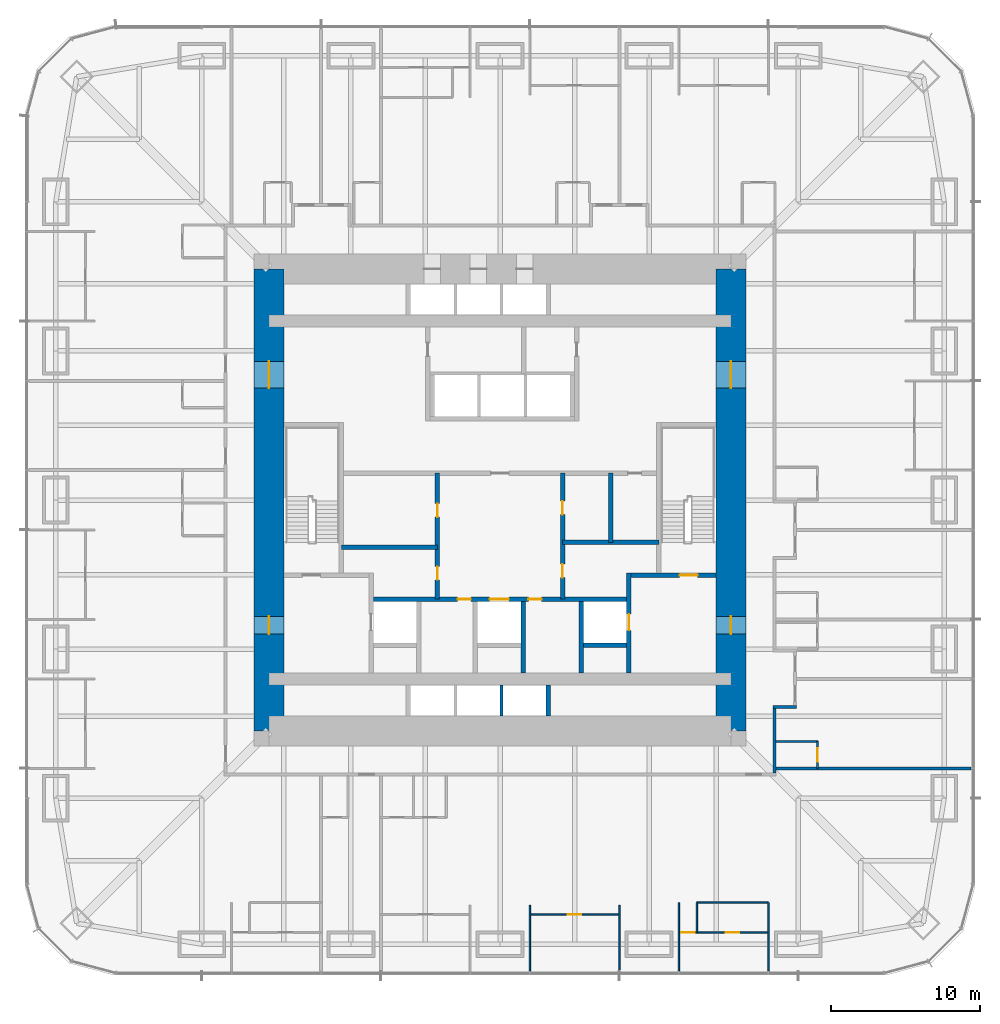
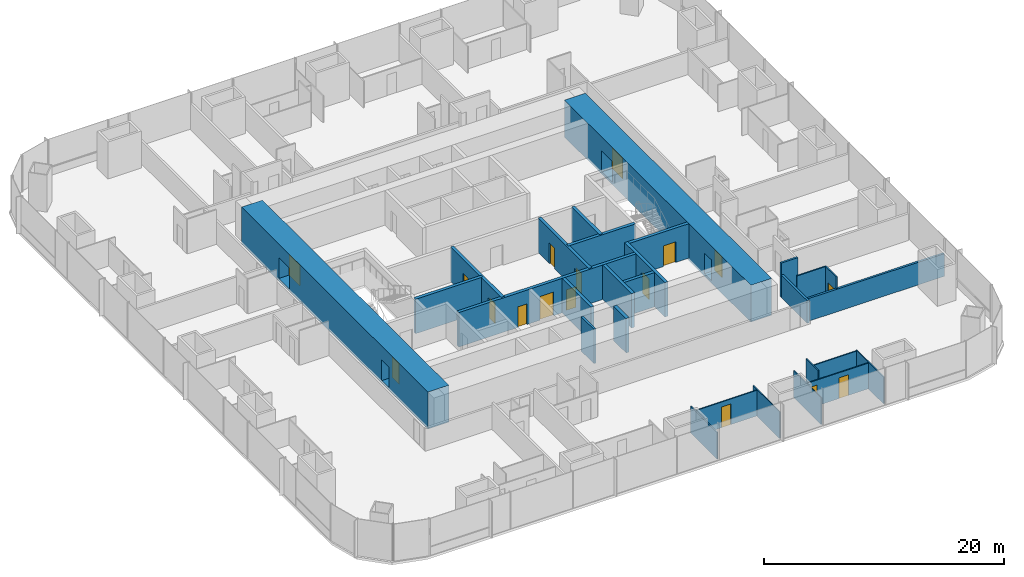
# One storey, part 13 of 17: 28 walls, 17 doors, 17 openings.
"""IFC4 building model written with IfcOpenShell, lengths in metres."""

import ifcopenshell
import ifcopenshell.guid

model = None  # the IFC model being written
_history = None  # IfcOwnerHistory: only IFC2X3 demands one
_inside = {}  # id of a spatial element -> (the spatial element, [elements in it])
_under = {}  # id of a project, library or spatial element -> (it, [spatial elements below it])
_declared = {}  # id of a project -> (the project, [libraries it declares])
_typed = {}  # id of a type object -> (the type object, [elements of that type])
_made_of = {}  # id of a material, layer set ... -> (it, [elements and type objects made of it])


def new_model(schema):
    """Start an empty IFC model of exactly this schema.

    Asked for "IFC4X3", IfcOpenShell would pick the latest addendum, in which some entities
    have other attributes; the version numbers below select the first issue.
    IFC2X3 requires an IfcOwnerHistory on every rooted entity: one is made here for all.
    """
    global model, _history
    if schema == "IFC4X3":
        model = ifcopenshell.file(schema_version=(4, 3, 0, 0))
    else:
        model = ifcopenshell.file(schema=schema)
    _inside.clear()
    _under.clear()
    _declared.clear()
    _typed.clear()
    _made_of.clear()
    _history = None
    if model.schema == "IFC2X3":
        org = make("IfcOrganization", Name="unknown")
        user = make(
            "IfcPersonAndOrganization",
            ThePerson=make("IfcPerson", FamilyName="unknown"),
            TheOrganization=org,
        )
        app = make(
            "IfcApplication",
            ApplicationDeveloper=org,
            Version="unknown",
            ApplicationFullName="unknown",
            ApplicationIdentifier="unknown",
        )
        _history = make(
            "IfcOwnerHistory",
            OwningUser=user,
            OwningApplication=app,
            ChangeAction="ADDED",
            CreationDate=0,
        )
    return model


def make(cls, **values):
    """One entity of the class cls with the attributes given. An attribute that is None is left unset."""
    return model.create_entity(
        cls, **{name: value for name, value in values.items() if value is not None}
    )


def rooted(cls, **values):
    """An entity with a GlobalId (a new one), such as an element, a storey or a relation."""
    return make(cls, GlobalId=ifcopenshell.guid.new(), OwnerHistory=_history, **values)


def si_unit(unit_type, name, prefix=None):
    """IfcSIUnit, for example si_unit("LENGTHUNIT", "METRE", prefix="MILLI")."""
    return make("IfcSIUnit", UnitType=unit_type, Prefix=prefix, Name=name)


def assignment(units):
    """IfcUnitAssignment: the units of a project."""
    return None if units is None else make("IfcUnitAssignment", Units=units)


def point(xyz):
    """IfcCartesianPoint."""
    return None if xyz is None else make("IfcCartesianPoint", Coordinates=xyz)


def direction(xyz):
    """IfcDirection."""
    return None if xyz is None else make("IfcDirection", DirectionRatios=xyz)


def frame(location, z_axis=None, x_axis=None):
    """IfcAxis2Placement3D, a coordinate frame: its origin and axes. An axis left out is left unset."""
    return make(
        "IfcAxis2Placement3D",
        Location=point(location),
        Axis=direction(z_axis),
        RefDirection=direction(x_axis),
    )


def frame_2d(location, x_axis=None):
    """IfcAxis2Placement2D, a coordinate frame in the plane: its origin and x axis."""
    return make(
        "IfcAxis2Placement2D", Location=point(location), RefDirection=direction(x_axis)
    )


def origin():
    """The frame at (0, 0, 0) with its axes left unset."""
    return frame((0.0, 0.0, 0.0))


def place(relative_to, where):
    """IfcLocalPlacement: puts the frame where relative to a parent placement (None: the world)."""
    return make(
        "IfcLocalPlacement", PlacementRelTo=relative_to, RelativePlacement=where
    )


def context(
    kind, dimensions, precision=None, world=None, true_north=None, identifier=None
):
    """IfcGeometricRepresentationContext, for example the 3D "Model" context."""
    return make(
        "IfcGeometricRepresentationContext",
        ContextIdentifier=identifier,
        ContextType=kind,
        CoordinateSpaceDimension=dimensions,
        Precision=precision,
        WorldCoordinateSystem=world,
        TrueNorth=true_north,
    )


def subcontext(parent, identifier, kind, view, scale=None):
    """IfcGeometricRepresentationSubContext, for example "Body" below "Model"."""
    return make(
        "IfcGeometricRepresentationSubContext",
        ContextIdentifier=identifier,
        ContextType=kind,
        ParentContext=parent,
        TargetScale=scale,
        TargetView=view,
    )


def project(units=None, contexts=None):
    """IfcProject with its units and contexts."""
    return rooted(
        "IfcProject",
        Name="project",
        RepresentationContexts=contexts,
        UnitsInContext=assignment(units),
    )


def spatial(cls, under=None, at=None, **own):
    """A site, building, storey or space (cls), placed at a placement, below another one or the project."""
    s = rooted(cls, ObjectPlacement=at, **own)
    if under is not None:
        _under.setdefault(under.id(), (under, []))[1].append(s)
    return s


def profile(cls, at=None, kind="AREA", **sizes):
    """A parametric profile (cls). Its sizes go by their IFC names, for example OverallWidth=200.0."""
    return make(cls, ProfileType=kind, Position=at, **sizes)


def rectangle(**sizes):
    """IfcRectangleProfileDef."""
    return profile("IfcRectangleProfileDef", **sizes)


def extrude(swept, where, along, depth):
    """IfcExtrudedAreaSolid: the profile swept, set in the frame where, extruded along a direction by depth."""
    return make(
        "IfcExtrudedAreaSolid",
        SweptArea=swept,
        Position=where,
        ExtrudedDirection=direction(along),
        Depth=depth,
    )


def shape(context_of_items, identifier, shape_type, items):
    """IfcShapeRepresentation: the items that make up one representation, for example the "Body"."""
    return make(
        "IfcShapeRepresentation",
        ContextOfItems=context_of_items,
        RepresentationIdentifier=identifier,
        RepresentationType=shape_type,
        Items=items,
    )


def material(Name=None, Category=None):
    """IfcMaterial."""
    return make("IfcMaterial", Name=Name, Category=Category)


def layer(
    of_material, thickness, ventilated=None, Name=None, Category=None, Priority=None
):
    """IfcMaterialLayer: one layer of a wall or slab, of a material (None: an air gap)."""
    return make(
        "IfcMaterialLayer",
        Material=of_material,
        LayerThickness=thickness,
        IsVentilated=ventilated,
        Name=Name,
        Category=Category,
        Priority=Priority,
    )


def layer_set(layers, Name=None):
    """IfcMaterialLayerSet."""
    return make("IfcMaterialLayerSet", MaterialLayers=layers, LayerSetName=Name)


def made_of(thing, what):
    """Note that an element or type object is made of a material, layer set ...; save() writes the relation."""
    if what is not None:
        _made_of.setdefault(what.id(), (what, []))[1].append(thing)
    return thing


def type_object(cls, material=None, **own):
    """A type object (cls), such as IfcWallType, which elements share."""
    return made_of(rooted(cls, **own), material)


def element(
    cls,
    number,
    at=None,
    inside=None,
    cuts=None,
    type_object=None,
    material=None,
    context=None,
    identifier="Body",
    shape_type=None,
    held_by="IfcProductDefinitionShape",
    body=None,
    shapes=None,
    **own,
):
    """One element of the class cls, such as IfcWall. Its Tag is "e" and its number.

    at: its placement. inside: the storey or other place that contains it. cuts: it is an
    opening in that element (IfcRelVoidsElement). A single representation is given by context,
    identifier, shape_type and body (its items); several are given by shapes. held_by: the class
    of the entity that holds the representations. save() writes the other relations.
    """
    e = rooted(cls, Tag="e%d" % number, ObjectPlacement=at, **own)
    if body is not None:
        shapes = [shape(context, identifier, shape_type, body)]
    if shapes is not None:
        e.Representation = make(held_by, Representations=shapes)
    if inside is not None:
        _inside.setdefault(inside.id(), (inside, []))[1].append(e)
    if cuts is not None:
        rooted(
            "IfcRelVoidsElement", RelatingBuildingElement=cuts, RelatedOpeningElement=e
        )
    if type_object is not None:
        _typed.setdefault(type_object.id(), (type_object, []))[1].append(e)
    return made_of(e, material)


def fill(opening, filler):
    """IfcRelFillsElement: the door or window that sits in an opening."""
    return rooted(
        "IfcRelFillsElement",
        RelatingOpeningElement=opening,
        RelatedBuildingElement=filler,
    )


def aggregate(whole, parts):
    """IfcRelAggregates: a whole, such as a stair, and the parts it consists of."""
    return rooted("IfcRelAggregates", RelatingObject=whole, RelatedObjects=parts)


def save(model, path):
    """Write the relations noted so far, then the file.

    IfcRelAggregates (storeys below a building ...), IfcRelContainedInSpatialStructure (elements
    in a storey), IfcRelDefinesByType, IfcRelAssociatesMaterial and IfcRelDeclares: one each for
    every whole, place, type object, material and project.
    """
    for whole, parts in _under.values():
        aggregate(whole, parts)
    for where, things in _inside.values():
        rooted(
            "IfcRelContainedInSpatialStructure",
            RelatedElements=things,
            RelatingStructure=where,
        )
    for kind, things in _typed.values():
        rooted("IfcRelDefinesByType", RelatedObjects=things, RelatingType=kind)
    for what, things in _made_of.values():
        rooted("IfcRelAssociatesMaterial", RelatedObjects=things, RelatingMaterial=what)
    for by, libraries in _declared.values():
        rooted("IfcRelDeclares", RelatingContext=by, RelatedDefinitions=libraries)
    model.write(path)


model = new_model("IFC4")

# Units and contexts
model_context = context("Model", 3, precision=1e-05, world=origin(), true_north=direction((0.0, 1.0)))
body_context = subcontext(model_context, "Body", "Model", "MODEL_VIEW")
ifc_project = project(units=[si_unit("LENGTHUNIT", "METRE"), si_unit("AREAUNIT", "SQUARE_METRE"), si_unit("VOLUMEUNIT", "CUBIC_METRE"), si_unit("PLANEANGLEUNIT", "RADIAN"), si_unit("MASSUNIT", "GRAM", prefix="KILO")], contexts=[model_context])

# Site, building, storey
site_placement = place(None, origin())
site = spatial("IfcSite", under=ifc_project, at=site_placement, CompositionType="ELEMENT")
building_placement = place(site_placement, origin())
building = spatial("IfcBuilding", under=site, at=building_placement, Name="Khuree Lantern Residences", CompositionType="ELEMENT")
storey_placement = place(building_placement, frame((0.0, 0.0, 36.0)))
storey = spatial("IfcBuildingStorey", under=building, at=storey_placement, Name="L08", CompositionType="ELEMENT", Elevation=36.0)

# Wall, opening, door
ifc_material_1 = material(Name="Moisture-resistant gypsum board on steel studs", Category="steel")
ifc_layer_1 = layer(ifc_material_1, 0.125)
ifc_layer_set_1 = layer_set([ifc_layer_1], Name="BATHROOM WALL BTW125")
wall_type_1 = type_object("IfcWallType", Name="BATHROOM WALL BTW125", PredefinedType="PARTITIONING", material=ifc_layer_set_1)
wall_1_placement = place(storey_placement, frame((21.300048828125, -18.0, 0.0), z_axis=(0.0, 0.0, 1.0), x_axis=(0.0, 1.0, 0.0)))
wall_1 = element("IfcWall", 1, at=wall_1_placement, inside=storey, type_object=wall_type_1, Name="L08 BATHROOM WALL 12", PredefinedType="PARTITIONING", context=body_context, shape_type="SweptSolid", body=[
    extrude(rectangle(XDim=1.800048828125, YDim=0.125, at=frame_2d((0.89990234375, 0.0))), origin(), (0.0, 0.0, 1.0), 3.5),
])
opening_1_placement = place(wall_1_placement, frame((0.449951171875, 0.0, 0.0)))
opening_1 = element("IfcOpeningElement", 2, at=opening_1_placement, cuts=wall_1, Name="Opening 08-062", PredefinedType="OPENING", context=body_context, shape_type="SweptSolid", body=[
    extrude(rectangle(XDim=0.89990234375, YDim=2.10009765625, at=frame_2d((0.449951171875, 1.050048828125))), frame((0.0, 0.072509765625, 0.0), z_axis=(0.0, -1.0, 0.0), x_axis=(1.0, 0.0, 0.0)), (0.0, 0.0, 1.0), 0.14501953125),
])
ifc_material_2 = material(Name="Timber door leaf in hardwood frame", Category="wood")
door_type_1 = type_object("IfcDoorType", Name="BATHROOM DOOR 900X2100", OperationType="SINGLE_SWING_LEFT", PredefinedType="DOOR", material=ifc_material_2)
door_1_placement = place(opening_1_placement, origin())
door_1 = element("IfcDoor", 3, at=door_1_placement, inside=storey, type_object=door_type_1, Name="Bathroom door 08-062", OperationType="SINGLE_SWING_LEFT", OverallHeight=2.10009765625, OverallWidth=0.89990234375, PredefinedType="DOOR", context=body_context, shape_type="SweptSolid", body=[
    extrude(rectangle(XDim=0.89990234375, YDim=2.10009765625, at=frame_2d((0.449951171875, 1.050048828125))), frame((0.0, 0.02490234375, 0.0), z_axis=(0.0, -1.0, 0.0), x_axis=(1.0, 0.0, 0.0)), (0.0, 0.0, 1.0), 0.050048828125),
])
fill(opening_1, door_1)

# Wall
wall_2_placement = place(storey_placement, frame((18.5, -16.199951171875, 0.0), z_axis=(0.0, 0.0, 1.0), x_axis=(1.0, 0.0, 0.0)))
element("IfcWall", 4, at=wall_2_placement, inside=storey, type_object=wall_type_1, Name="L08 BATHROOM WALL 12", PredefinedType="PARTITIONING", context=body_context, shape_type="SweptSolid", body=[
    extrude(rectangle(XDim=2.800048828125, YDim=0.125, at=frame_2d((1.39990234375, 0.0))), origin(), (0.0, 0.0, 1.0), 3.5),
])

# Wall, opening, door
ifc_material_3 = material(Name="Dense concrete blockwork", Category="masonry")
ifc_layer_2 = layer(ifc_material_3, 0.300048828125)
ifc_layer_set_2 = layer_set([ifc_layer_2], Name="CORE PARTITION WALL CPW300 EI 120")
wall_type_2 = type_object("IfcWallType", Name="CORE PARTITION WALL CPW300 EI 120", PredefinedType="PARTITIONING", material=ifc_layer_set_2)
wall_3_placement = place(storey_placement, frame((8.64990234375, -11.60009765625, 0.0), z_axis=(0.0, 0.0, 1.0), x_axis=(0.0, 1.0, 0.0)))
wall_3 = element("IfcWall", 5, at=wall_3_placement, inside=storey, type_object=wall_type_2, Name="L08 CORE WALL FL2E", PredefinedType="PARTITIONING", context=body_context, shape_type="SweptSolid", body=[
    extrude(rectangle(XDim=6.7001953125, YDim=0.300048828125, at=frame_2d((3.35009765625, 0.0))), origin(), (0.0, 0.0, 1.0), 3.5),
])
opening_2_placement = place(wall_3_placement, frame((2.85009765625, 0.0, 0.0)))
opening_2 = element("IfcOpeningElement", 6, at=opening_2_placement, cuts=wall_3, Name="Opening 08-008", PredefinedType="OPENING", context=body_context, shape_type="SweptSolid", body=[
    extrude(rectangle(XDim=1.10009765625, YDim=2.10009765625, at=frame_2d((0.550048828125, 1.050048828125))), frame((0.0, 0.16015625, 0.0), z_axis=(0.0, -1.0, 0.0), x_axis=(1.0, 0.0, 0.0)), (0.0, 0.0, 1.0), 0.320068359375),
])
ifc_material_4 = material(Name="Stainless steel lift landing door", Category="steel")
door_type_2 = type_object("IfcDoorType", Name="LIFT LANDING DOOR 1100X2100 E 120", OperationType="DOUBLE_DOOR_SLIDING", PredefinedType="DOOR", material=ifc_material_4)
door_2_placement = place(opening_2_placement, origin())
door_2 = element("IfcDoor", 7, at=door_2_placement, inside=storey, type_object=door_type_2, Name="Landing door FL2 08-008", OperationType="DOUBLE_DOOR_SLIDING", OverallHeight=2.10009765625, OverallWidth=1.10009765625, PredefinedType="DOOR", context=body_context, shape_type="SweptSolid", body=[
    extrude(rectangle(XDim=1.10009765625, YDim=2.10009765625, at=frame_2d((0.550048828125, 1.050048828125))), frame((0.0, 0.02490234375, 0.0), z_axis=(0.0, -1.0, 0.0), x_axis=(1.0, 0.0, 0.0)), (0.0, 0.0, 1.0), 0.050048828125),
])
fill(opening_2, door_2)

# Wall, openings, doors
wall_4_placement = place(storey_placement, frame((-8.5, -6.64990234375, 0.0), z_axis=(0.0, 0.0, 1.0), x_axis=(1.0, 0.0, 0.0)))
wall_4 = element("IfcWall", 8, at=wall_4_placement, inside=storey, type_object=wall_type_2, Name="L08 CORE WALL FLROW", PredefinedType="PARTITIONING", context=body_context, shape_type="SweptSolid", body=[
    extrude(rectangle(XDim=17.0, YDim=0.300048828125, at=frame_2d((8.5, 0.0))), origin(), (0.0, 0.0, 1.0), 3.5),
])
opening_3_placement = place(wall_4_placement, frame((7.800048828125, 0.0, 0.0)))
opening_3 = element("IfcOpeningElement", 9, at=opening_3_placement, cuts=wall_4, Name="Opening 08-012", PredefinedType="OPENING", context=body_context, shape_type="SweptSolid", body=[
    extrude(rectangle(XDim=1.300048828125, YDim=2.39990234375, at=frame_2d((0.64990234375, 1.199951171875))), frame((0.0, 0.16015625, 0.0), z_axis=(0.0, -1.0, 0.0), x_axis=(1.0, 0.0, 0.0)), (0.0, 0.0, 1.0), 0.320068359375),
])
opening_4_placement = place(wall_4_placement, frame((5.64990234375, 0.0, 0.0)))
opening_4 = element("IfcOpeningElement", 10, at=opening_4_placement, cuts=wall_4, Name="Opening 08-014", PredefinedType="OPENING", context=body_context, shape_type="SweptSolid", body=[
    extrude(rectangle(XDim=0.89990234375, YDim=2.10009765625, at=frame_2d((0.449951171875, 1.050048828125))), frame((0.0, 0.16015625, 0.0), z_axis=(0.0, -1.0, 0.0), x_axis=(1.0, 0.0, 0.0)), (0.0, 0.0, 1.0), 0.320068359375),
])
opening_5_placement = place(wall_4_placement, frame((10.39990234375, 0.0, 0.0)))
opening_5 = element("IfcOpeningElement", 11, at=opening_5_placement, cuts=wall_4, Name="Opening 08-015", PredefinedType="OPENING", context=body_context, shape_type="SweptSolid", body=[
    extrude(rectangle(XDim=0.89990234375, YDim=2.10009765625, at=frame_2d((0.449951171875, 1.050048828125))), frame((0.0, 0.16015625, 0.0), z_axis=(0.0, -1.0, 0.0), x_axis=(1.0, 0.0, 0.0)), (0.0, 0.0, 1.0), 0.320068359375),
])
ifc_material_5 = material(Name="Steel door leaf in steel frame", Category="steel")
door_type_3 = type_object("IfcDoorType", Name="DOOR 900X2100 EI 60", OperationType="SINGLE_SWING_LEFT", PredefinedType="DOOR", material=ifc_material_5)
door_3_placement = place(opening_4_placement, origin())
door_3 = element("IfcDoor", 12, at=door_3_placement, inside=storey, type_object=door_type_3, Name="Refuse chute room door 08-014", OperationType="SINGLE_SWING_LEFT", OverallHeight=2.10009765625, OverallWidth=0.89990234375, PredefinedType="DOOR", context=body_context, shape_type="SweptSolid", body=[
    extrude(rectangle(XDim=0.89990234375, YDim=2.10009765625, at=frame_2d((0.449951171875, 1.050048828125))), frame((0.0, 0.02490234375, 0.0), z_axis=(0.0, -1.0, 0.0), x_axis=(1.0, 0.0, 0.0)), (0.0, 0.0, 1.0), 0.050048828125),
])
fill(opening_4, door_3)
door_type_4 = type_object("IfcDoorType", Name="DOOR 900X2100 EI 60 RIGHT HAND", OperationType="SINGLE_SWING_RIGHT", PredefinedType="DOOR", material=ifc_material_5)
door_4_placement = place(opening_5_placement, origin())
door_4 = element("IfcDoor", 13, at=door_4_placement, inside=storey, type_object=door_type_4, Name="Electrical and plumbing riser door 08-015", OperationType="SINGLE_SWING_RIGHT", OverallHeight=2.10009765625, OverallWidth=0.89990234375, PredefinedType="DOOR", context=body_context, shape_type="SweptSolid", body=[
    extrude(rectangle(XDim=0.89990234375, YDim=2.10009765625, at=frame_2d((0.449951171875, 1.050048828125))), frame((0.0, 0.02490234375, 0.0), z_axis=(0.0, -1.0, 0.0), x_axis=(1.0, 0.0, 0.0)), (0.0, 0.0, 1.0), 0.050048828125),
])
fill(opening_5, door_4)
door_type_5 = type_object("IfcDoorType", Name="LIFT LANDING DOOR 1300X2400 E 60", OperationType="DOUBLE_DOOR_SLIDING", PredefinedType="DOOR", material=ifc_material_4)
door_5_placement = place(opening_3_placement, origin())
door_5 = element("IfcDoor", 14, at=door_5_placement, inside=storey, type_object=door_type_5, Name="Landing door SL1 08-012", OperationType="DOUBLE_DOOR_SLIDING", OverallHeight=2.39990234375, OverallWidth=1.300048828125, PredefinedType="DOOR", context=body_context, shape_type="SweptSolid", body=[
    extrude(rectangle(XDim=1.300048828125, YDim=2.39990234375, at=frame_2d((0.64990234375, 1.199951171875))), frame((0.0, 0.02490234375, 0.0), z_axis=(0.0, -1.0, 0.0), x_axis=(1.0, 0.0, 0.0)), (0.0, 0.0, 1.0), 0.050048828125),
])
fill(opening_3, door_5)

# Walls
for number, where, z_axis, x_axis, name in (
    (15, (1.550048828125, -11.60009765625, 0.0), (0.0, 0.0, 1.0), (0.0, 1.0, 0.0), "L08 CORE WALL SL1E"),
    (16, (5.449951171875, -11.60009765625, 0.0), (0.0, 0.0, 1.0), (0.0, 1.0, 0.0), "L08 CORE WALL FL2W"),
):
    element("IfcWall", number, at=place(storey_placement, frame(where, z_axis=z_axis, x_axis=x_axis)), inside=storey, type_object=wall_type_2, Name=name, PredefinedType="PARTITIONING", context=body_context, shape_type="SweptSolid", body=[
        extrude(rectangle(XDim=4.800048828125, YDim=0.300048828125, at=frame_2d((2.39990234375, 0.0))), origin(), (0.0, 0.0, 1.0), 3.5),
    ])
wall_5_placement = place(storey_placement, frame((5.60009765625, -9.75, 0.0), z_axis=(0.0, 0.0, 1.0), x_axis=(1.0, 0.0, 0.0)))
element("IfcWall", 17, at=wall_5_placement, inside=storey, type_object=wall_type_2, Name="L08 CORE WALL FL2S", PredefinedType="PARTITIONING", context=body_context, shape_type="SweptSolid", body=[
    extrude(rectangle(XDim=2.89990234375, YDim=0.300048828125, at=frame_2d((1.449951171875, 0.0))), origin(), (0.0, 0.0, 1.0), 3.5),
])
wall_6_placement = place(storey_placement, frame((3.25, -14.5, 0.0), z_axis=(0.0, 0.0, 1.0), x_axis=(0.0, 1.0, 0.0)))
element("IfcWall", 18, at=wall_6_placement, inside=storey, type_object=wall_type_2, Name="L08 CORE WALL PME", PredefinedType="PARTITIONING", context=body_context, shape_type="SweptSolid", body=[
    extrude(rectangle(XDim=2.10009765625, YDim=0.300048828125, at=frame_2d((1.050048828125, 0.0))), origin(), (0.0, 0.0, 1.0), 3.5),
])

# Wall, openings, doors
wall_7_placement = place(storey_placement, frame((-4.199951171875, -6.64990234375, 0.0), z_axis=(0.0, 0.0, 1.0), x_axis=(0.0, 1.0, 0.0)))
wall_7 = element("IfcWall", 19, at=wall_7_placement, inside=storey, type_object=wall_type_2, Name="L08 CORE WALL SVW", PredefinedType="PARTITIONING", context=body_context, shape_type="SweptSolid", body=[
    extrude(rectangle(XDim=8.449951171875, YDim=0.300048828125, at=frame_2d((4.22509765625, 0.0))), origin(), (0.0, 0.0, 1.0), 3.5),
])
opening_6_placement = place(wall_7_placement, frame((1.284912109375, 0.0, 0.0)))
opening_6 = element("IfcOpeningElement", 20, at=opening_6_placement, cuts=wall_7, Name="Opening 08-016", PredefinedType="OPENING", context=body_context, shape_type="SweptSolid", body=[
    extrude(rectangle(XDim=0.89990234375, YDim=2.10009765625, at=frame_2d((0.449951171875, 1.050048828125))), frame((0.0, 0.16015625, 0.0), z_axis=(0.0, -1.0, 0.0), x_axis=(1.0, 0.0, 0.0)), (0.0, 0.0, 1.0), 0.320068359375),
])
opening_7_placement = place(wall_7_placement, frame((5.510009765625, 0.0, 0.0)))
opening_7 = element("IfcOpeningElement", 21, at=opening_7_placement, cuts=wall_7, Name="Opening 08-017", PredefinedType="OPENING", context=body_context, shape_type="SweptSolid", body=[
    extrude(rectangle(XDim=0.89990234375, YDim=2.10009765625, at=frame_2d((0.449951171875, 1.050048828125))), frame((0.0, 0.16015625, 0.0), z_axis=(0.0, -1.0, 0.0), x_axis=(1.0, 0.0, 0.0)), (0.0, 0.0, 1.0), 0.320068359375),
])
door_type_6 = type_object("IfcDoorType", Name="DOOR 900X2100", OperationType="SINGLE_SWING_LEFT", PredefinedType="DOOR", material=ifc_material_2)
door_6_placement = place(opening_6_placement, origin())
door_6 = element("IfcDoor", 22, at=door_6_placement, inside=storey, type_object=door_type_6, Name="Parcel room door 08-016", OperationType="SINGLE_SWING_LEFT", OverallHeight=2.10009765625, OverallWidth=0.89990234375, PredefinedType="DOOR", context=body_context, shape_type="SweptSolid", body=[
    extrude(rectangle(XDim=0.89990234375, YDim=2.10009765625, at=frame_2d((0.449951171875, 1.050048828125))), frame((0.0, 0.02490234375, 0.0), z_axis=(0.0, -1.0, 0.0), x_axis=(1.0, 0.0, 0.0)), (0.0, 0.0, 1.0), 0.050048828125),
])
fill(opening_6, door_6)
door_7_placement = place(opening_7_placement, origin())
door_7 = element("IfcDoor", 23, at=door_7_placement, inside=storey, type_object=door_type_6, Name="Residents' store door 08-017", OperationType="SINGLE_SWING_LEFT", OverallHeight=2.10009765625, OverallWidth=0.89990234375, PredefinedType="DOOR", context=body_context, shape_type="SweptSolid", body=[
    extrude(rectangle(XDim=0.89990234375, YDim=2.10009765625, at=frame_2d((0.449951171875, 1.050048828125))), frame((0.0, 0.02490234375, 0.0), z_axis=(0.0, -1.0, 0.0), x_axis=(1.0, 0.0, 0.0)), (0.0, 0.0, 1.0), 0.050048828125),
])
fill(opening_7, door_7)

wall_8_placement = place(storey_placement, frame((4.199951171875, -6.64990234375, 0.0), z_axis=(0.0, 0.0, 1.0), x_axis=(0.0, 1.0, 0.0)))
wall_8 = element("IfcWall", 24, at=wall_8_placement, inside=storey, type_object=wall_type_2, Name="L08 CORE WALL SVE", PredefinedType="PARTITIONING", context=body_context, shape_type="SweptSolid", body=[
    extrude(rectangle(XDim=8.449951171875, YDim=0.300048828125, at=frame_2d((4.22509765625, 0.0))), origin(), (0.0, 0.0, 1.0), 3.5),
])
opening_8_placement = place(wall_8_placement, frame((1.450927734375, 0.0, 0.0)))
opening_8 = element("IfcOpeningElement", 25, at=opening_8_placement, cuts=wall_8, Name="Opening 08-018", PredefinedType="OPENING", context=body_context, shape_type="SweptSolid", body=[
    extrude(rectangle(XDim=0.89990234375, YDim=2.10009765625, at=frame_2d((0.449951171875, 1.050048828125))), frame((0.0, 0.16015625, 0.0), z_axis=(0.0, -1.0, 0.0), x_axis=(1.0, 0.0, 0.0)), (0.0, 0.0, 1.0), 0.320068359375),
])
opening_9_placement = place(wall_8_placement, frame((5.676025390625, 0.0, 0.0)))
opening_9 = element("IfcOpeningElement", 26, at=opening_9_placement, cuts=wall_8, Name="Opening 08-019", PredefinedType="OPENING", context=body_context, shape_type="SweptSolid", body=[
    extrude(rectangle(XDim=0.89990234375, YDim=2.10009765625, at=frame_2d((0.449951171875, 1.050048828125))), frame((0.0, 0.16015625, 0.0), z_axis=(0.0, -1.0, 0.0), x_axis=(1.0, 0.0, 0.0)), (0.0, 0.0, 1.0), 0.320068359375),
])
door_8_placement = place(opening_8_placement, origin())
door_8 = element("IfcDoor", 27, at=door_8_placement, inside=storey, type_object=door_type_6, Name="Parcel room door 08-018", OperationType="SINGLE_SWING_LEFT", OverallHeight=2.10009765625, OverallWidth=0.89990234375, PredefinedType="DOOR", context=body_context, shape_type="SweptSolid", body=[
    extrude(rectangle(XDim=0.89990234375, YDim=2.10009765625, at=frame_2d((0.449951171875, 1.050048828125))), frame((0.0, 0.02490234375, 0.0), z_axis=(0.0, -1.0, 0.0), x_axis=(1.0, 0.0, 0.0)), (0.0, 0.0, 1.0), 0.050048828125),
])
fill(opening_8, door_8)
door_type_7 = type_object("IfcDoorType", Name="DOOR 900X2100 RIGHT HAND", OperationType="SINGLE_SWING_RIGHT", PredefinedType="DOOR", material=ifc_material_2)
door_9_placement = place(opening_9_placement, origin())
door_9 = element("IfcDoor", 28, at=door_9_placement, inside=storey, type_object=door_type_7, Name="Refuse holding room door 08-019", OperationType="SINGLE_SWING_RIGHT", OverallHeight=2.10009765625, OverallWidth=0.89990234375, PredefinedType="DOOR", context=body_context, shape_type="SweptSolid", body=[
    extrude(rectangle(XDim=0.89990234375, YDim=2.10009765625, at=frame_2d((0.449951171875, 1.050048828125))), frame((0.0, 0.02490234375, 0.0), z_axis=(0.0, -1.0, 0.0), x_axis=(1.0, 0.0, 0.0)), (0.0, 0.0, 1.0), 0.050048828125),
])
fill(opening_9, door_9)

# Walls
for number, where, z_axis, x_axis, name in (
    (29, (-10.64990234375, -3.179931640625, 0.0), (0.0, 0.0, 1.0), (1.0, 0.0, 0.0), "L08 CORE WALL WX"),
    (30, (10.64990234375, -2.847900390625, 0.0), (0.0, 0.0, 1.0), (-1.0, 0.0, 0.0), "L08 CORE WALL EX"),
):
    element("IfcWall", number, at=place(storey_placement, frame(where, z_axis=z_axis, x_axis=x_axis)), inside=storey, type_object=wall_type_2, Name=name, PredefinedType="PARTITIONING", context=body_context, shape_type="SweptSolid", body=[
        extrude(rectangle(XDim=6.449951171875, YDim=0.300048828125, at=frame_2d((3.22509765625, 0.0))), origin(), (0.0, 0.0, 1.0), 3.5),
    ])
wall_9_placement = place(storey_placement, frame((7.425048828125, -2.847900390625, 0.0), z_axis=(0.0, 0.0, 1.0), x_axis=(0.0, 1.0, 0.0)))
element("IfcWall", 31, at=wall_9_placement, inside=storey, type_object=wall_type_2, Name="L08 CORE WALL EV", PredefinedType="PARTITIONING", context=body_context, shape_type="SweptSolid", body=[
    extrude(rectangle(XDim=4.64794921875, YDim=0.300048828125, at=frame_2d((2.323974609375, 0.0))), origin(), (0.0, 0.0, 1.0), 3.5),
])
ifc_material_6 = material(Name="Gypsum board on steel studs", Category="steel")
ifc_layer_3 = layer(ifc_material_6, 0.199951171875)
ifc_layer_set_3 = layer_set([ifc_layer_3], Name="CORRIDOR WALL CRW200 EI 60")
wall_type_3 = type_object("IfcWallType", Name="CORRIDOR WALL CRW200 EI 60", PredefinedType="PARTITIONING", material=ifc_layer_set_3)
wall_10_placement = place(storey_placement, frame((18.39990234375, -18.300048828125, 0.0), z_axis=(0.0, 0.0, 1.0), x_axis=(0.0, 1.0, 0.0)))
element("IfcWall", 32, at=wall_10_placement, inside=storey, type_object=wall_type_3, Name="L08 CORRIDOR WALL EAST 1", PredefinedType="PARTITIONING", context=body_context, shape_type="SweptSolid", body=[
    extrude(rectangle(XDim=4.300048828125, YDim=0.199951171875, at=frame_2d((2.14990234375, 0.0))), origin(), (0.0, 0.0, 1.0), 2.300048828125),
])
wall_11_placement = place(storey_placement, frame((18.300048828125, -13.89990234375, 0.0), z_axis=(0.0, 0.0, 1.0), x_axis=(1.0, 0.0, 0.0)))
element("IfcWall", 33, at=wall_11_placement, inside=storey, type_object=wall_type_3, Name="L08 CORRIDOR ALCOVE WALL EAST", PredefinedType="PARTITIONING", context=body_context, shape_type="SweptSolid", body=[
    extrude(rectangle(XDim=1.599853515625, YDim=0.199951171875, at=frame_2d((0.7998046875, 0.0))), origin(), (0.0, 0.0, 1.0), 3.5),
])

# Wall, openings, doors
ifc_material_7 = material(Name="Concrete C70/85", Category="concrete")
ifc_layer_4 = layer(ifc_material_7, 2.0)
ifc_layer_set_4 = layer_set([ifc_layer_4], Name="CW2000-C70 CORE WALL C70 2000")
wall_type_4 = type_object("IfcWallType", Name="CW2000-C70 CORE WALL C70 2000", PredefinedType="SHEAR", material=ifc_layer_set_4)
wall_12_placement = place(storey_placement, frame((15.5, -15.5, -0.25), z_axis=(0.0, 0.0, 1.0), x_axis=(0.0, 1.0, 0.0)))
wall_12 = element("IfcWall", 34, at=wall_12_placement, inside=storey, type_object=wall_type_4, Name="Core wall E", PredefinedType="SHEAR", context=body_context, shape_type="SweptSolid", body=[
    extrude(rectangle(XDim=31.0, YDim=2.0, at=frame_2d((15.5, 0.0))), origin(), (0.0, 0.0, 1.0), 3.75),
])
opening_10_placement = place(wall_12_placement, frame((6.5, 0.0, 0.25)))
opening_10 = element("IfcOpeningElement", 35, at=opening_10_placement, cuts=wall_12, Name="Opening 08-005", PredefinedType="OPENING", context=body_context, shape_type="SweptSolid", body=[
    extrude(rectangle(XDim=1.199951171875, YDim=2.10009765625, at=frame_2d((0.60009765625, 1.050048828125))), frame((0.0, 1.010009765625, 0.0), z_axis=(0.0, -1.0, 0.0), x_axis=(1.0, 0.0, 0.0)), (0.0, 0.0, 1.0), 2.02001953125),
])
opening_11_placement = place(wall_12_placement, frame((23.0, 0.0, 0.25)))
opening_11 = element("IfcOpeningElement", 36, at=opening_11_placement, cuts=wall_12, Name="Opening 08-006", PredefinedType="OPENING", context=body_context, shape_type="SweptSolid", body=[
    extrude(rectangle(XDim=1.800048828125, YDim=2.10009765625, at=frame_2d((0.89990234375, 1.050048828125))), frame((0.0, 1.010009765625, 0.0), z_axis=(0.0, -1.0, 0.0), x_axis=(1.0, 0.0, 0.0)), (0.0, 0.0, 1.0), 2.02001953125),
])
door_type_8 = type_object("IfcDoorType", Name="LOBBY DOOR 1200X2100 EI 120", OperationType="SINGLE_SWING_LEFT", PredefinedType="DOOR", material=ifc_material_5)
door_10_placement = place(opening_10_placement, origin())
door_10 = element("IfcDoor", 37, at=door_10_placement, inside=storey, type_object=door_type_8, Name="Firefighting lobby door 08-005", OperationType="SINGLE_SWING_LEFT", OverallHeight=2.10009765625, OverallWidth=1.199951171875, PredefinedType="DOOR", context=body_context, shape_type="SweptSolid", body=[
    extrude(rectangle(XDim=1.199951171875, YDim=2.10009765625, at=frame_2d((0.60009765625, 1.050048828125))), frame((0.0, 0.02490234375, 0.0), z_axis=(0.0, -1.0, 0.0), x_axis=(1.0, 0.0, 0.0)), (0.0, 0.0, 1.0), 0.050048828125),
])
fill(opening_10, door_10)
door_type_9 = type_object("IfcDoorType", Name="LOBBY DOUBLE DOOR 1800X2100 EI 60", OperationType="DOUBLE_DOOR_SINGLE_SWING", PredefinedType="DOOR", material=ifc_material_5)
door_11_placement = place(opening_11_placement, origin())
door_11 = element("IfcDoor", 38, at=door_11_placement, inside=storey, type_object=door_type_9, Name="Lift lobby door 08-006", OperationType="DOUBLE_DOOR_SINGLE_SWING", OverallHeight=2.10009765625, OverallWidth=1.800048828125, PredefinedType="DOOR", context=body_context, shape_type="SweptSolid", body=[
    extrude(rectangle(XDim=1.800048828125, YDim=2.10009765625, at=frame_2d((0.89990234375, 1.050048828125))), frame((0.0, 0.02490234375, 0.0), z_axis=(0.0, -1.0, 0.0), x_axis=(1.0, 0.0, 0.0)), (0.0, 0.0, 1.0), 0.050048828125),
])
fill(opening_11, door_11)

wall_13_placement = place(storey_placement, frame((-15.5, -15.5, -0.25), z_axis=(0.0, 0.0, 1.0), x_axis=(0.0, 1.0, 0.0)))
wall_13 = element("IfcWall", 39, at=wall_13_placement, inside=storey, type_object=wall_type_4, Name="Core wall W", PredefinedType="SHEAR", context=body_context, shape_type="SweptSolid", body=[
    extrude(rectangle(XDim=31.0, YDim=2.0, at=frame_2d((15.5, 0.0))), origin(), (0.0, 0.0, 1.0), 3.75),
])
opening_12_placement = place(wall_13_placement, frame((6.5, 0.0, 0.25)))
opening_12 = element("IfcOpeningElement", 40, at=opening_12_placement, cuts=wall_13, Name="Opening 08-002", PredefinedType="OPENING", context=body_context, shape_type="SweptSolid", body=[
    extrude(rectangle(XDim=1.199951171875, YDim=2.10009765625, at=frame_2d((0.60009765625, 1.050048828125))), frame((0.0, 1.010009765625, 0.0), z_axis=(0.0, -1.0, 0.0), x_axis=(1.0, 0.0, 0.0)), (0.0, 0.0, 1.0), 2.02001953125),
])
opening_13_placement = place(wall_13_placement, frame((23.0, 0.0, 0.25)))
opening_13 = element("IfcOpeningElement", 41, at=opening_13_placement, cuts=wall_13, Name="Opening 08-003", PredefinedType="OPENING", context=body_context, shape_type="SweptSolid", body=[
    extrude(rectangle(XDim=1.800048828125, YDim=2.10009765625, at=frame_2d((0.89990234375, 1.050048828125))), frame((0.0, 1.010009765625, 0.0), z_axis=(0.0, -1.0, 0.0), x_axis=(1.0, 0.0, 0.0)), (0.0, 0.0, 1.0), 2.02001953125),
])
door_12_placement = place(opening_12_placement, origin())
door_12 = element("IfcDoor", 42, at=door_12_placement, inside=storey, type_object=door_type_8, Name="Firefighting lobby door 08-002", OperationType="SINGLE_SWING_LEFT", OverallHeight=2.10009765625, OverallWidth=1.199951171875, PredefinedType="DOOR", context=body_context, shape_type="SweptSolid", body=[
    extrude(rectangle(XDim=1.199951171875, YDim=2.10009765625, at=frame_2d((0.60009765625, 1.050048828125))), frame((0.0, 0.02490234375, 0.0), z_axis=(0.0, -1.0, 0.0), x_axis=(1.0, 0.0, 0.0)), (0.0, 0.0, 1.0), 0.050048828125),
])
fill(opening_12, door_12)
door_13_placement = place(opening_13_placement, origin())
door_13 = element("IfcDoor", 43, at=door_13_placement, inside=storey, type_object=door_type_9, Name="Lift lobby door 08-003", OperationType="DOUBLE_DOOR_SINGLE_SWING", OverallHeight=2.10009765625, OverallWidth=1.800048828125, PredefinedType="DOOR", context=body_context, shape_type="SweptSolid", body=[
    extrude(rectangle(XDim=1.800048828125, YDim=2.10009765625, at=frame_2d((0.89990234375, 1.050048828125))), frame((0.0, 0.02490234375, 0.0), z_axis=(0.0, -1.0, 0.0), x_axis=(1.0, 0.0, 0.0)), (0.0, 0.0, 1.0), 0.050048828125),
])
fill(opening_13, door_13)

# Walls
ifc_layer_5 = layer(ifc_material_6, 0.199951171875)
ifc_layer_set_5 = layer_set([ifc_layer_5], Name="DEMISING WALL DMW200 EI 90")
wall_type_5 = type_object("IfcWallType", Name="DEMISING WALL DMW200 EI 90", PredefinedType="PARTITIONING", material=ifc_layer_set_5)
wall_14_placement = place(storey_placement, frame((18.5, -18.0, 0.0), z_axis=(0.0, 0.0, 1.0), x_axis=(1.0, 0.0, 0.0)))
element("IfcWall", 44, at=wall_14_placement, inside=storey, type_object=wall_type_5, Name="L08 DEMISING WALL 12", PredefinedType="PARTITIONING", context=body_context, shape_type="SweptSolid", body=[
    extrude(rectangle(XDim=13.10009765625, YDim=0.199951171875, at=frame_2d((6.550048828125, 0.0))), origin(), (0.0, 0.0, 1.0), 2.300048828125),
])
ifc_layer_6 = layer(ifc_material_6, 0.10009765625)
ifc_layer_set_6 = layer_set([ifc_layer_6], Name="PARTITION PT100")
wall_type_6 = type_object("IfcWallType", Name="PARTITION PT100", PredefinedType="PARTITIONING", material=ifc_layer_set_6)
for number, where, z_axis, x_axis, name in (
    (45, (2.0, -27.199951171875, 0.0), (0.0, 0.0, 1.0), (0.0, -1.0, 0.0), "L08 PARTITION 11"),
    (46, (8.0, -27.199951171875, 0.0), (0.0, 0.0, 1.0), (0.0, -1.0, 0.0), "L08 PARTITION 11"),
):
    element("IfcWall", number, at=place(storey_placement, frame(where, z_axis=z_axis, x_axis=x_axis)), inside=storey, type_object=wall_type_6, Name=name, PredefinedType="PARTITIONING", context=body_context, shape_type="SweptSolid", body=[
        extrude(rectangle(XDim=4.400146484375, YDim=0.10009765625, at=frame_2d((2.2001953125, 0.0))), origin(), (0.0, 0.0, 1.0), 2.7099609375),
    ])
for number, where, z_axis, x_axis, name in (
    (47, (12.0, -27.0166015625, 0.0), (0.0, 0.0, 1.0), (0.0, -1.0, 0.0), "L08 PARTITION 11"),
    (48, (18.0, -27.0166015625, 0.0), (0.0, 0.0, 1.0), (0.0, -1.0, 0.0), "L08 PARTITION 11"),
):
    element("IfcWall", number, at=place(storey_placement, frame(where, z_axis=z_axis, x_axis=x_axis)), inside=storey, type_object=wall_type_6, Name=name, PredefinedType="PARTITIONING", context=body_context, shape_type="SweptSolid", body=[
        extrude(rectangle(XDim=4.58349609375, YDim=0.10009765625, at=frame_2d((2.291748046875, 0.0))), origin(), (0.0, 0.0, 1.0), 2.7099609375),
    ])

# Wall, opening, door
wall_15_placement = place(storey_placement, frame((2.0, -27.800048828125, 0.0), z_axis=(0.0, 0.0, 1.0), x_axis=(1.0, 0.0, 0.0)))
wall_15 = element("IfcWall", 49, at=wall_15_placement, inside=storey, type_object=wall_type_6, Name="L08 PARTITION 11", PredefinedType="PARTITIONING", context=body_context, shape_type="SweptSolid", body=[
    extrude(rectangle(XDim=6.0, YDim=0.10009765625, at=frame_2d((3.0, 0.0))), origin(), (0.0, 0.0, 1.0), 2.610107421875),
])
opening_14_placement = place(wall_15_placement, frame((2.550048828125, 0.0, 0.0)))
opening_14 = element("IfcOpeningElement", 50, at=opening_14_placement, cuts=wall_15, Name="Opening 08-056", PredefinedType="OPENING", context=body_context, shape_type="SweptSolid", body=[
    extrude(rectangle(XDim=0.89990234375, YDim=2.10009765625, at=frame_2d((0.449951171875, 1.050048828125))), frame((0.0, 0.06005859375, 0.0), z_axis=(0.0, -1.0, 0.0), x_axis=(1.0, 0.0, 0.0)), (0.0, 0.0, 1.0), 0.1201171875),
])
door_type_10 = type_object("IfcDoorType", Name="BEDROOM DOOR 900X2100", OperationType="SINGLE_SWING_LEFT", PredefinedType="DOOR", material=ifc_material_2)
door_14_placement = place(opening_14_placement, origin())
door_14 = element("IfcDoor", 51, at=door_14_placement, inside=storey, type_object=door_type_10, Name="Bedroom door 08-056", OperationType="SINGLE_SWING_LEFT", OverallHeight=2.10009765625, OverallWidth=0.89990234375, PredefinedType="DOOR", context=body_context, shape_type="SweptSolid", body=[
    extrude(rectangle(XDim=0.89990234375, YDim=2.10009765625, at=frame_2d((0.449951171875, 1.050048828125))), frame((0.0, 0.02490234375, 0.0), z_axis=(0.0, -1.0, 0.0), x_axis=(1.0, 0.0, 0.0)), (0.0, 0.0, 1.0), 0.050048828125),
])
fill(opening_14, door_14)

# Wall, openings, doors
wall_16_placement = place(storey_placement, frame((12.0, -29.0166015625, 0.0), z_axis=(0.0, 0.0, 1.0), x_axis=(1.0, 0.0, 0.0)))
wall_16 = element("IfcWall", 52, at=wall_16_placement, inside=storey, type_object=wall_type_6, Name="L08 PARTITION 11", PredefinedType="PARTITIONING", context=body_context, shape_type="SweptSolid", body=[
    extrude(rectangle(XDim=6.0, YDim=0.10009765625, at=frame_2d((3.0, 0.0))), origin(), (0.0, 0.0, 1.0), 2.610107421875),
])
opening_15_placement = place(wall_16_placement, frame((0.14990234375, 0.0, 0.0)))
opening_15 = element("IfcOpeningElement", 53, at=opening_15_placement, cuts=wall_16, Name="Opening 08-057", PredefinedType="OPENING", context=body_context, shape_type="SweptSolid", body=[
    extrude(rectangle(XDim=0.89990234375, YDim=2.10009765625, at=frame_2d((0.449951171875, 1.050048828125))), frame((0.0, 0.06005859375, 0.0), z_axis=(0.0, -1.0, 0.0), x_axis=(1.0, 0.0, 0.0)), (0.0, 0.0, 1.0), 0.1201171875),
])
opening_16_placement = place(wall_16_placement, frame((3.14990234375, 0.0, 0.0)))
opening_16 = element("IfcOpeningElement", 54, at=opening_16_placement, cuts=wall_16, Name="Opening 08-058", PredefinedType="OPENING", context=body_context, shape_type="SweptSolid", body=[
    extrude(rectangle(XDim=0.89990234375, YDim=2.10009765625, at=frame_2d((0.449951171875, 1.050048828125))), frame((0.0, 0.06005859375, 0.0), z_axis=(0.0, -1.0, 0.0), x_axis=(1.0, 0.0, 0.0)), (0.0, 0.0, 1.0), 0.1201171875),
])
door_15_placement = place(opening_15_placement, origin())
door_15 = element("IfcDoor", 55, at=door_15_placement, inside=storey, type_object=door_type_10, Name="Bedroom door 08-057", OperationType="SINGLE_SWING_LEFT", OverallHeight=2.10009765625, OverallWidth=0.89990234375, PredefinedType="DOOR", context=body_context, shape_type="SweptSolid", body=[
    extrude(rectangle(XDim=0.89990234375, YDim=2.10009765625, at=frame_2d((0.449951171875, 1.050048828125))), frame((0.0, 0.02490234375, 0.0), z_axis=(0.0, -1.0, 0.0), x_axis=(1.0, 0.0, 0.0)), (0.0, 0.0, 1.0), 0.050048828125),
])
fill(opening_15, door_15)
door_16_placement = place(opening_16_placement, origin())
door_16 = element("IfcDoor", 56, at=door_16_placement, inside=storey, type_object=door_type_6, Name="Wardrobe door 08-058", OperationType="SINGLE_SWING_LEFT", OverallHeight=2.10009765625, OverallWidth=0.89990234375, PredefinedType="DOOR", context=body_context, shape_type="SweptSolid", body=[
    extrude(rectangle(XDim=0.89990234375, YDim=2.10009765625, at=frame_2d((0.449951171875, 1.050048828125))), frame((0.0, 0.02490234375, 0.0), z_axis=(0.0, -1.0, 0.0), x_axis=(1.0, 0.0, 0.0)), (0.0, 0.0, 1.0), 0.050048828125),
])
fill(opening_16, door_16)

# Walls
wall_17_placement = place(storey_placement, frame((13.199951171875, -27.0166015625, 0.0), z_axis=(0.0, 0.0, 1.0), x_axis=(0.0, -1.0, 0.0)))
element("IfcWall", 57, at=wall_17_placement, inside=storey, type_object=wall_type_6, Name="L08 PARTITION 11", PredefinedType="PARTITIONING", context=body_context, shape_type="SweptSolid", body=[
    extrude(rectangle(XDim=2.0, YDim=0.10009765625, at=frame_2d((1.0, 0.0))), origin(), (0.0, 0.0, 1.0), 3.5),
])
wall_18_placement = place(storey_placement, frame((13.199951171875, -27.0166015625, 0.0), z_axis=(0.0, 0.0, 1.0), x_axis=(1.0, 0.0, 0.0)))
element("IfcWall", 58, at=wall_18_placement, inside=storey, type_object=wall_type_6, Name="L08 PARTITION 11", PredefinedType="PARTITIONING", context=body_context, shape_type="SweptSolid", body=[
    extrude(rectangle(XDim=4.800048828125, YDim=0.10009765625, at=frame_2d((2.39990234375, 0.0))), origin(), (0.0, 0.0, 1.0), 2.610107421875),
])
ifc_layer_7 = layer(ifc_material_3, 0.199951171875)
ifc_layer_set_7 = layer_set([ifc_layer_7], Name="SHAFT WALL SHW200 EI 120")
wall_type_7 = type_object("IfcWallType", Name="SHAFT WALL SHW200 EI 120", PredefinedType="PARTITIONING", material=ifc_layer_set_7)
wall_19_placement = place(storey_placement, frame((0.10009765625, -14.5, 0.0), z_axis=(0.0, 0.0, 1.0), x_axis=(0.0, 1.0, 0.0)))
element("IfcWall", 59, at=wall_19_placement, inside=storey, type_object=wall_type_7, Name="L08 CORE WALL PMD2", PredefinedType="PARTITIONING", context=body_context, shape_type="SweptSolid", body=[
    extrude(rectangle(XDim=2.10009765625, YDim=0.199951171875, at=frame_2d((1.050048828125, 0.0))), origin(), (0.0, 0.0, 1.0), 3.5),
])

# Wall, opening, door
ifc_material_8 = material(Name="Concrete C50/60", Category="concrete")
ifc_layer_8 = layer(ifc_material_8, 0.300048828125)
ifc_layer_set_8 = layer_set([ifc_layer_8], Name="STAIR WALL SRW300 C50/60 REI 240")
wall_type_8 = type_object("IfcWallType", Name="STAIR WALL SRW300 C50/60 REI 240", PredefinedType="SOLIDWALL", material=ifc_layer_set_8)
wall_20_placement = place(storey_placement, frame((14.5, -5.050048828125, 0.0), z_axis=(0.0, 0.0, 1.0), x_axis=(-1.0, 0.0, 0.0)))
wall_20 = element("IfcWall", 60, at=wall_20_placement, inside=storey, type_object=wall_type_8, Name="L08 STAIR WALL ST2S", PredefinedType="SOLIDWALL", context=body_context, shape_type="SweptSolid", body=[
    extrude(rectangle(XDim=5.699951171875, YDim=0.300048828125, at=frame_2d((2.85009765625, 0.0))), origin(), (0.0, 0.0, 1.0), 3.5),
])
opening_17_placement = place(wall_20_placement, frame((1.25, 0.0, 0.0)))
opening_17 = element("IfcOpeningElement", 61, at=opening_17_placement, cuts=wall_20, Name="Opening 08-004", PredefinedType="OPENING", context=body_context, shape_type="SweptSolid", body=[
    extrude(rectangle(XDim=1.199951171875, YDim=2.10009765625, at=frame_2d((0.60009765625, 1.050048828125))), frame((0.0, 0.16015625, 0.0), z_axis=(0.0, -1.0, 0.0), x_axis=(1.0, 0.0, 0.0)), (0.0, 0.0, 1.0), 0.320068359375),
])
door_type_11 = type_object("IfcDoorType", Name="STAIR DOOR 1200X2100 EI 120", OperationType="SINGLE_SWING_LEFT", PredefinedType="DOOR", material=ifc_material_5)
door_17_placement = place(opening_17_placement, origin())
door_17 = element("IfcDoor", 62, at=door_17_placement, inside=storey, type_object=door_type_11, Name="Stair ST2 door 08-004", OperationType="SINGLE_SWING_LEFT", OverallHeight=2.10009765625, OverallWidth=1.199951171875, PredefinedType="DOOR", context=body_context, shape_type="SweptSolid", body=[
    extrude(rectangle(XDim=1.199951171875, YDim=2.10009765625, at=frame_2d((0.60009765625, 1.050048828125))), frame((0.0, 0.02490234375, 0.0), z_axis=(0.0, -1.0, 0.0), x_axis=(1.0, 0.0, 0.0)), (0.0, 0.0, 1.0), 0.050048828125),
])
fill(opening_17, door_17)

save(model, "model.ifc")
